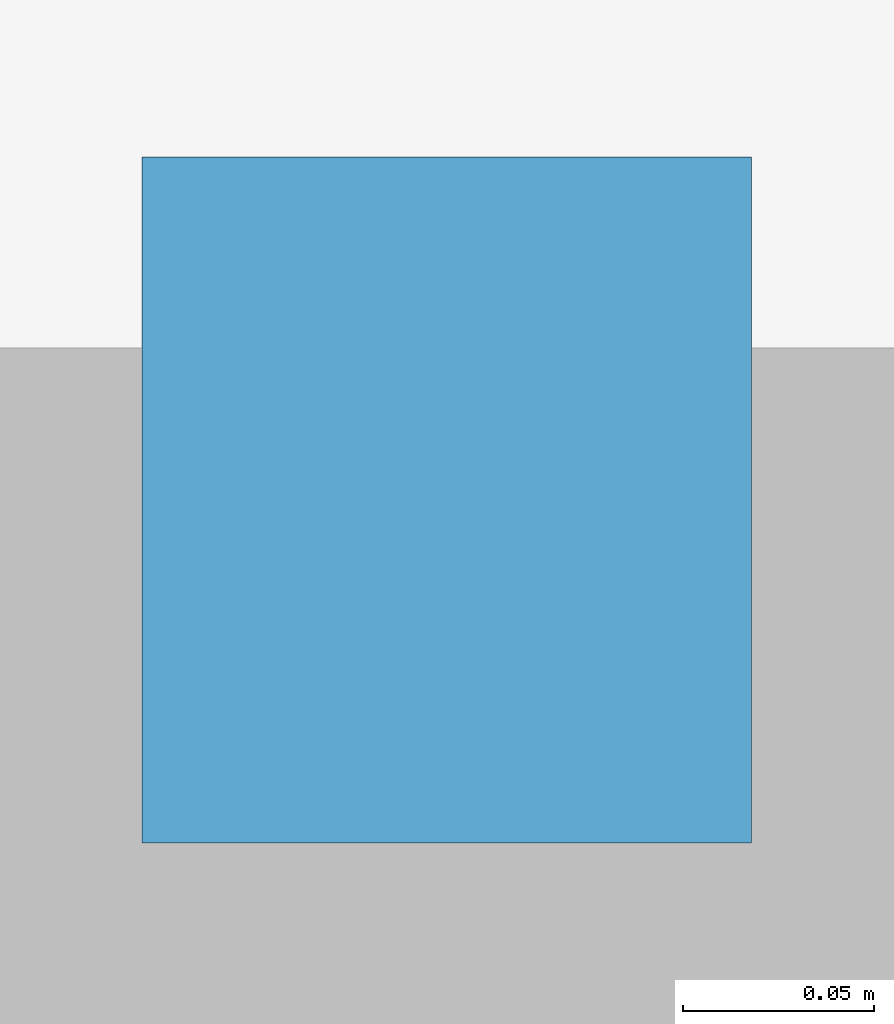
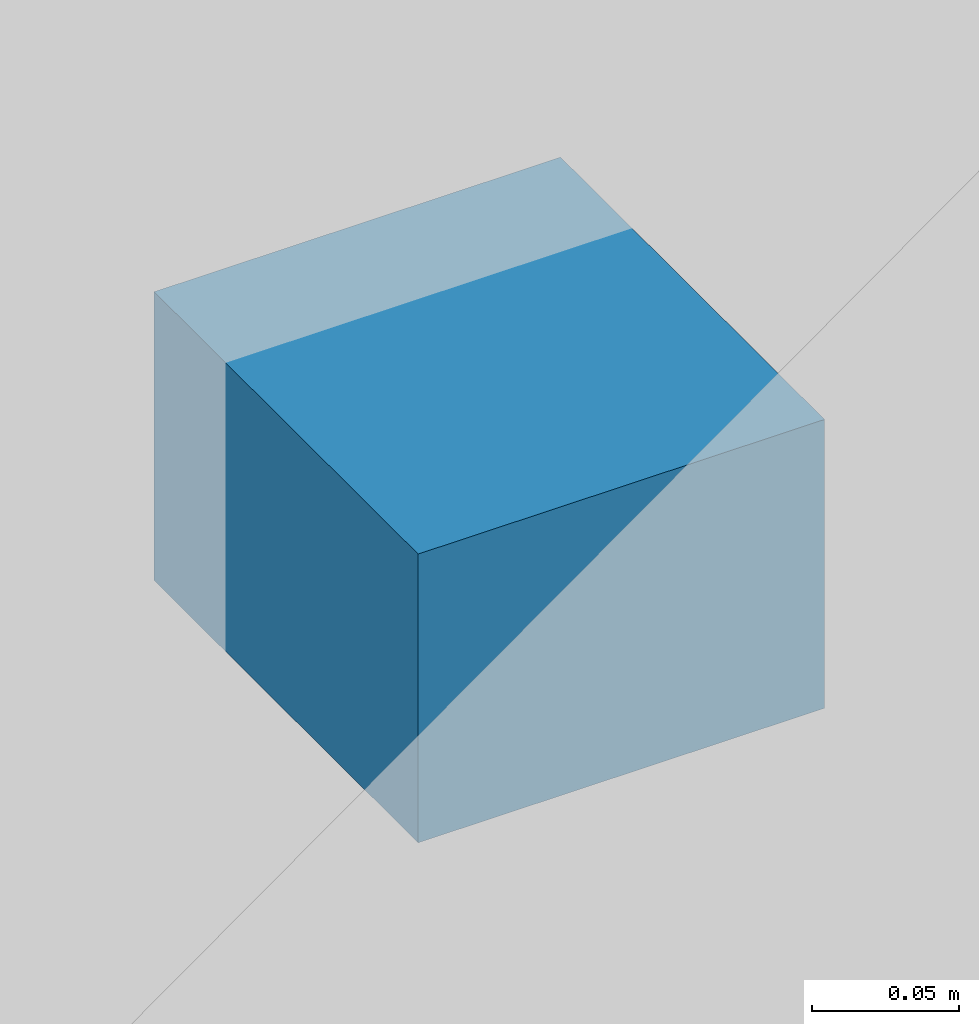
# One storey, part 34 of 40: 1 discrete accessory.
"""IFC4 building model written with IfcOpenShell, lengths in metres."""

from ifc_helpers import new_model, si_unit, direction, frame, origin, origin_2d, place, context, subcontext, project, spatial, rectangle, extrude, material, type_object, element, save


model = new_model("IFC4")

# Units and contexts
model_context = context("Model", 3, precision=1e-05, world=origin(), true_north=direction((0.0, 1.0)))
body_context = subcontext(model_context, "Body", "Model", "MODEL_VIEW")
ifc_project = project(units=[si_unit("LENGTHUNIT", "METRE"), si_unit("AREAUNIT", "SQUARE_METRE"), si_unit("VOLUMEUNIT", "CUBIC_METRE"), si_unit("PLANEANGLEUNIT", "RADIAN"), si_unit("MASSUNIT", "GRAM", prefix="KILO")], contexts=[model_context])

# Site, building, storey
site_placement = place(None, origin())
site = spatial("IfcSite", under=ifc_project, at=site_placement, CompositionType="ELEMENT")
building_placement = place(site_placement, origin())
building = spatial("IfcBuilding", under=site, at=building_placement, Name="Kazevale Care Tower and Concert Hall", CompositionType="ELEMENT")
storey_placement = place(building_placement, frame((0.0, 0.0, 4.800048828125)))
storey = spatial("IfcBuildingStorey", under=building, at=storey_placement, Name="L01", CompositionType="ELEMENT", Elevation=4.800048828125)

# Discrete accessory
ifc_material = material(Name="Stainless Steel 316", Category="steel")
discrete_accessory_type = type_object("IfcDiscreteAccessoryType", Name="Hoistway Guide-Rail Wall Bracket HBRK-1", PredefinedType="BRACKET", material=ifc_material)
discrete_accessory_placement = place(storey_placement, frame((99.300048828125, 48.820068359375, 1.239990234375), z_axis=(0.0, 0.0, 1.0), x_axis=(1.0, 0.0, 0.0)))
element("IfcDiscreteAccessory", 1, at=discrete_accessory_placement, inside=storey, type_object=discrete_accessory_type, Name="hbrk:CHL-1:L01", PredefinedType="BRACKET", context=body_context, shape_type="SweptSolid", body=[
    extrude(rectangle(XDim=0.159912109375, YDim=0.179931640625, at=origin_2d()), origin(), (0.0, 0.0, 1.0), 0.1201171875),
])

save(model, "model.ifc")
